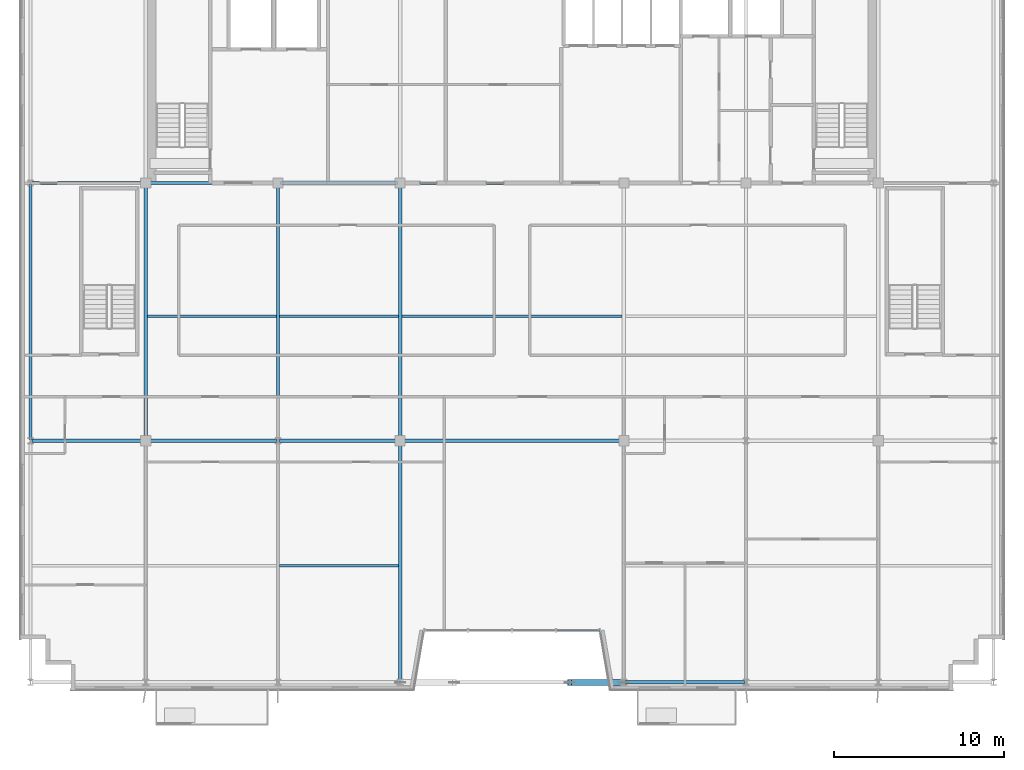
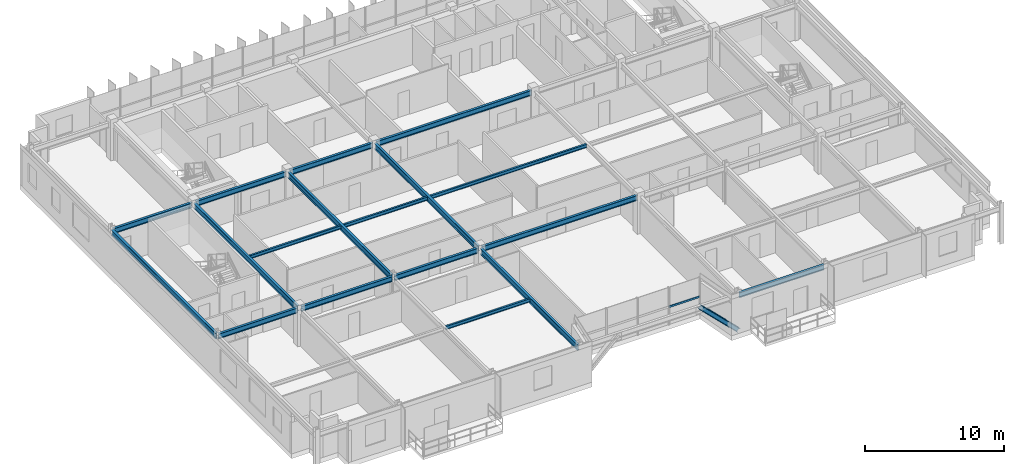
# One storey, part 7 of 28: 18 beams, 2 members, 1 element without a shape of its own.
"""IFC4 building model written with IfcOpenShell, lengths in metres."""

from ifc_helpers import new_model, si_unit, direction, frame, origin, origin_2d, place, context, subcontext, project, spatial, hollow_rectangle, i_section, extrude, source, transform, mapped, material, material_profile, profile_set, type_object, element, aggregate, save


model = new_model("IFC4")

# Units and contexts
model_context = context("Model", 3, precision=1e-05, world=origin(), true_north=direction((0.0, 1.0)))
body_context = subcontext(model_context, "Body", "Model", "MODEL_VIEW")
ifc_project = project(units=[si_unit("LENGTHUNIT", "METRE"), si_unit("AREAUNIT", "SQUARE_METRE"), si_unit("VOLUMEUNIT", "CUBIC_METRE"), si_unit("PLANEANGLEUNIT", "RADIAN"), si_unit("MASSUNIT", "GRAM", prefix="KILO")], contexts=[model_context])

# Site, building, storey
site_placement = place(None, origin())
site = spatial("IfcSite", under=ifc_project, at=site_placement, CompositionType="ELEMENT")
building_placement = place(site_placement, origin())
building = spatial("IfcBuilding", under=site, at=building_placement, Name="Trelvane Seafront Commons", CompositionType="ELEMENT")
storey_placement = place(building_placement, frame((0.0, 0.0, 295.5)))
storey = spatial("IfcBuildingStorey", under=building, at=storey_placement, Name="L77", CompositionType="ELEMENT", Elevation=295.5)

# Beams
ifc_material_1 = material(Name="Steel SM355 (S355)", Category="steel")
ifc_material_profile_1 = material_profile(ifc_material_1, i_section(OverallWidth=0.199951171875, OverallDepth=0.5, WebThickness=0.010009765625, FlangeThickness=0.01611328125, at=origin_2d()), Name="H-500x200x10x16")
ifc_profile_set_1 = profile_set([ifc_material_profile_1], Name="Steel SM355 (S355)")
beam_type_1 = type_object("IfcBeamType", Name="STR-BM-H500", PredefinedType="BEAM", material=ifc_profile_set_1)
shared_shape_1 = source(origin(), body_context, "Body", "SweptSolid", [
    extrude(i_section(OverallWidth=0.199951171875, OverallDepth=0.5, WebThickness=0.010009765625, FlangeThickness=0.01611328125, at=origin_2d()), origin(), (0.0, 0.0, 1.0), 14.89990234375),
])
for number, where, z_axis, x_axis, name in (
    (1, (15.60009765625, 18.35009765625, 3.010009765625), (0.0, 1.0, 0.0), (-1.0, 0.0, 0.0), "L77 Primary Girder G-33"),
    (2, (30.60009765625, 18.35009765625, 3.010009765625), (0.0, 1.0, 0.0), (-1.0, 0.0, 0.0), "L77 Primary Girder G-39"),
):
    element("IfcBeam", number, at=place(storey_placement, frame(where, z_axis=z_axis, x_axis=x_axis)), inside=storey, type_object=beam_type_1, Name=name, PredefinedType="BEAM", context=body_context, shape_type="MappedRepresentation", body=[
        mapped(shared_shape_1, transform((0.0, 0.0, 0.0), x_axis=(1.0, 0.0, 0.0), y_axis=(0.0, 1.0, 0.0), z_axis=(0.0, 0.0, 1.0), scale=1.0)),
    ])
ifc_material_profile_2 = material_profile(ifc_material_1, i_section(OverallWidth=0.199951171875, OverallDepth=0.449951171875, WebThickness=0.009033203125, FlangeThickness=0.013916015625, at=origin_2d()), Name="H-450x200x9x14")
ifc_profile_set_2 = profile_set([ifc_material_profile_2], Name="Steel SM355 (S355)")
beam_type_2 = type_object("IfcBeamType", Name="STR-SPD-H450", PredefinedType="SPANDREL", material=ifc_profile_set_2)
shared_shape_2 = source(origin(), body_context, "Body", "SweptSolid", [
    extrude(i_section(OverallWidth=0.199951171875, OverallDepth=0.449951171875, WebThickness=0.009033203125, FlangeThickness=0.013916015625, at=origin_2d()), origin(), (0.0, 0.0, 1.0), 7.025146484375),
])
beam_1_placement = place(storey_placement, frame((43.887451171875, 3.949951171875, 3.034912109375), z_axis=(1.0, 0.0, 0.0), x_axis=(0.0, 1.0, 0.0)))
element("IfcBeam", 3, at=beam_1_placement, inside=storey, type_object=beam_type_2, Name="L77 Primary Girder G-05", PredefinedType="SPANDREL", context=body_context, shape_type="MappedRepresentation", body=[
    mapped(shared_shape_2, transform((0.0, 0.0, 0.0), x_axis=(1.0, 0.0, 0.0), y_axis=(0.0, 1.0, 0.0), z_axis=(0.0, 0.0, 1.0), scale=1.0)),
])
shared_shape_3 = source(origin(), body_context, "Body", "SweptSolid", [
    extrude(i_section(OverallWidth=0.199951171875, OverallDepth=0.449951171875, WebThickness=0.009033203125, FlangeThickness=0.013916015625, at=origin_2d()), origin(), (0.0, 0.0, 1.0), 6.5625),
])
for number, where, z_axis, x_axis, name in (
    (4, (8.887451171875, 18.199951171875, 3.034912109375), (1.0, 0.0, 0.0), (0.0, 1.0, 0.0), "L77 Primary Girder G-08"),
    (5, (8.887451171875, 33.39990234375, 3.034912109375), (1.0, 0.0, 0.0), (0.0, 1.0, 0.0), "L77 Primary Girder G-15"),
):
    element("IfcBeam", number, at=place(storey_placement, frame(where, z_axis=z_axis, x_axis=x_axis)), inside=storey, type_object=beam_type_2, Name=name, PredefinedType="SPANDREL", context=body_context, shape_type="MappedRepresentation", body=[
        mapped(shared_shape_3, transform((0.0, 0.0, 0.0), x_axis=(1.0, 0.0, 0.0), y_axis=(0.0, 1.0, 0.0), z_axis=(0.0, 0.0, 1.0), scale=1.0)),
    ])
shared_shape_4 = source(origin(), body_context, "Body", "SweptSolid", [
    extrude(i_section(OverallWidth=0.199951171875, OverallDepth=0.449951171875, WebThickness=0.009033203125, FlangeThickness=0.013916015625, at=origin_2d()), origin(), (0.0, 0.0, 1.0), 7.5625),
])
beam_2_placement = place(storey_placement, frame((15.75, 18.199951171875, 3.034912109375), z_axis=(1.0, 0.0, 0.0), x_axis=(0.0, 1.0, 0.0)))
element("IfcBeam", 6, at=beam_2_placement, inside=storey, type_object=beam_type_2, Name="L77 Primary Girder G-09", PredefinedType="SPANDREL", context=body_context, shape_type="MappedRepresentation", body=[
    mapped(shared_shape_4, transform((0.0, 0.0, 0.0), x_axis=(1.0, 0.0, 0.0), y_axis=(0.0, 1.0, 0.0), z_axis=(0.0, 0.0, 1.0), scale=1.0)),
])
shared_shape_5 = source(origin(), body_context, "Body", "SweptSolid", [
    extrude(i_section(OverallWidth=0.199951171875, OverallDepth=0.449951171875, WebThickness=0.009033203125, FlangeThickness=0.013916015625, at=origin_2d()), origin(), (0.0, 0.0, 1.0), 6.96240234375),
])
beam_3_placement = place(storey_placement, frame((23.487548828125, 18.199951171875, 3.034912109375), z_axis=(1.0, 0.0, 0.0), x_axis=(0.0, 1.0, 0.0)))
element("IfcBeam", 7, at=beam_3_placement, inside=storey, type_object=beam_type_2, Name="L77 Primary Girder G-10", PredefinedType="SPANDREL", context=body_context, shape_type="MappedRepresentation", body=[
    mapped(shared_shape_5, transform((0.0, 0.0, 0.0), x_axis=(1.0, 0.0, 0.0), y_axis=(0.0, 1.0, 0.0), z_axis=(0.0, 0.0, 1.0), scale=1.0)),
])
shared_shape_6 = source(origin(), body_context, "Body", "SweptSolid", [
    extrude(i_section(OverallWidth=0.199951171875, OverallDepth=0.449951171875, WebThickness=0.009033203125, FlangeThickness=0.013916015625, at=origin_2d()), origin(), (0.0, 0.0, 1.0), 7.5),
])
beam_4_placement = place(storey_placement, frame((15.75, 33.39990234375, 3.034912109375), z_axis=(1.0, 0.0, 0.0), x_axis=(0.0, 1.0, 0.0)))
element("IfcBeam", 8, at=beam_4_placement, inside=storey, type_object=beam_type_2, Name="L77 Primary Girder G-16", PredefinedType="SPANDREL", context=body_context, shape_type="MappedRepresentation", body=[
    mapped(shared_shape_6, transform((0.0, 0.0, 0.0), x_axis=(1.0, 0.0, 0.0), y_axis=(0.0, 1.0, 0.0), z_axis=(0.0, 0.0, 1.0), scale=1.0)),
])
shared_shape_7 = source(origin(), body_context, "Body", "SweptSolid", [
    extrude(i_section(OverallWidth=0.199951171875, OverallDepth=0.449951171875, WebThickness=0.009033203125, FlangeThickness=0.013916015625, at=origin_2d()), origin(), (0.0, 0.0, 1.0), 6.89990234375),
])
beam_5_placement = place(storey_placement, frame((23.550048828125, 33.39990234375, 3.034912109375), z_axis=(1.0, 0.0, 0.0), x_axis=(0.0, 1.0, 0.0)))
element("IfcBeam", 9, at=beam_5_placement, inside=storey, type_object=beam_type_2, Name="L77 Primary Girder G-17", PredefinedType="SPANDREL", context=body_context, shape_type="MappedRepresentation", body=[
    mapped(shared_shape_7, transform((0.0, 0.0, 0.0), x_axis=(1.0, 0.0, 0.0), y_axis=(0.0, 1.0, 0.0), z_axis=(0.0, 0.0, 1.0), scale=1.0)),
])
shared_shape_8 = source(origin(), body_context, "Body", "SweptSolid", [
    extrude(i_section(OverallWidth=0.199951171875, OverallDepth=0.449951171875, WebThickness=0.009033203125, FlangeThickness=0.013916015625, at=origin_2d()), origin(), (0.0, 0.0, 1.0), 12.89990234375),
])
for number, where, z_axis, x_axis, name in (
    (10, (30.75, 18.199951171875, 3.034912109375), (1.0, 0.0, 0.0), (0.0, 1.0, 0.0), "L77 Primary Girder G-11"),
    (11, (30.75, 33.39990234375, 3.034912109375), (1.0, 0.0, 0.0), (0.0, 1.0, 0.0), "L77 Primary Girder G-18"),
):
    element("IfcBeam", number, at=place(storey_placement, frame(where, z_axis=z_axis, x_axis=x_axis)), inside=storey, type_object=beam_type_2, Name=name, PredefinedType="SPANDREL", context=body_context, shape_type="MappedRepresentation", body=[
        mapped(shared_shape_8, transform((0.0, 0.0, 0.0), x_axis=(1.0, 0.0, 0.0), y_axis=(0.0, 1.0, 0.0), z_axis=(0.0, 0.0, 1.0), scale=1.0)),
    ])
shared_shape_9 = source(origin(), body_context, "Body", "SweptSolid", [
    extrude(i_section(OverallWidth=0.199951171875, OverallDepth=0.5, WebThickness=0.010009765625, FlangeThickness=0.01611328125, at=origin_2d()), origin(), (0.0, 0.0, 1.0), 15.02490234375),
])
beam_6_placement = place(storey_placement, frame((8.800048828125, 18.28759765625, 3.010009765625), z_axis=(0.0, 1.0, 0.0), x_axis=(-1.0, 0.0, 0.0)))
element("IfcBeam", 12, at=beam_6_placement, inside=storey, type_object=beam_type_1, Name="L77 Primary Girder G-30", PredefinedType="BEAM", context=body_context, shape_type="MappedRepresentation", body=[
    mapped(shared_shape_9, transform((0.0, 0.0, 0.0), x_axis=(1.0, 0.0, 0.0), y_axis=(0.0, 1.0, 0.0), z_axis=(0.0, 0.0, 1.0), scale=1.0)),
])
shared_shape_10 = source(origin(), body_context, "Body", "SweptSolid", [
    extrude(i_section(OverallWidth=0.199951171875, OverallDepth=0.5, WebThickness=0.010009765625, FlangeThickness=0.01611328125, at=origin_2d()), origin(), (0.0, 0.0, 1.0), 14.012451171875),
])
beam_7_placement = place(storey_placement, frame((30.60009765625, 4.03759765625, 3.010009765625), z_axis=(0.0, 1.0, 0.0), x_axis=(-1.0, 0.0, 0.0)))
element("IfcBeam", 13, at=beam_7_placement, inside=storey, type_object=beam_type_1, Name="L77 Primary Girder G-38", PredefinedType="BEAM", context=body_context, shape_type="MappedRepresentation", body=[
    mapped(shared_shape_10, transform((0.0, 0.0, 0.0), x_axis=(1.0, 0.0, 0.0), y_axis=(0.0, 1.0, 0.0), z_axis=(0.0, 0.0, 1.0), scale=1.0)),
])
shared_shape_11 = source(origin(), body_context, "Body", "SweptSolid", [
    extrude(i_section(OverallWidth=0.199951171875, OverallDepth=0.5, WebThickness=0.010009765625, FlangeThickness=0.01611328125, at=origin_2d()), origin(), (0.0, 0.0, 1.0), 14.96240234375),
])
beam_8_placement = place(storey_placement, frame((23.39990234375, 18.28759765625, 3.010009765625), z_axis=(0.0, 1.0, 0.0), x_axis=(-1.0, 0.0, 0.0)))
element("IfcBeam", 14, at=beam_8_placement, inside=storey, type_object=beam_type_1, Name="L77 Primary Girder G-36", PredefinedType="BEAM", context=body_context, shape_type="MappedRepresentation", body=[
    mapped(shared_shape_11, transform((0.0, 0.0, 0.0), x_axis=(1.0, 0.0, 0.0), y_axis=(0.0, 1.0, 0.0), z_axis=(0.0, 0.0, 1.0), scale=1.0)),
])
ifc_material_profile_3 = material_profile(ifc_material_1, i_section(OverallWidth=0.14990234375, OverallDepth=0.300048828125, WebThickness=0.006591796875, FlangeThickness=0.009033203125, at=origin_2d()), Name="H-300x150x6.5x9")
ifc_profile_set_3 = profile_set([ifc_material_profile_3], Name="Steel SM355 (S355)")
beam_type_3 = type_object("IfcBeamType", Name="STR-JST-H300", PredefinedType="JOIST", material=ifc_profile_set_3)
shared_shape_12 = source(origin(), body_context, "Body", "SweptSolid", [
    extrude(i_section(OverallWidth=0.14990234375, OverallDepth=0.300048828125, WebThickness=0.006591796875, FlangeThickness=0.009033203125, at=origin_2d()), origin(), (0.0, 0.0, 1.0), 7.60009765625),
])
beam_9_placement = place(storey_placement, frame((15.699951171875, 25.550048828125, 3.110107421875), z_axis=(1.0, 0.0, 0.0), x_axis=(0.0, 1.0, 0.0)))
element("IfcBeam", 15, at=beam_9_placement, inside=storey, type_object=beam_type_3, Name="L77 Secondary Floor Joist B-60", PredefinedType="JOIST", context=body_context, shape_type="MappedRepresentation", body=[
    mapped(shared_shape_12, transform((0.0, 0.0, 0.0), x_axis=(1.0, 0.0, 0.0), y_axis=(0.0, 1.0, 0.0), z_axis=(0.0, 0.0, 1.0), scale=1.0)),
])
shared_shape_13 = source(origin(), body_context, "Body", "SweptSolid", [
    extrude(i_section(OverallWidth=0.14990234375, OverallDepth=0.300048828125, WebThickness=0.006591796875, FlangeThickness=0.009033203125, at=origin_2d()), origin(), (0.0, 0.0, 1.0), 7.0),
])
for number, where, z_axis, x_axis, name in (
    (16, (23.5, 10.824951171875, 3.110107421875), (1.0, 0.0, 0.0), (0.0, 1.0, 0.0), "L77 Secondary Floor Joist B-55"),
    (17, (23.5, 25.550048828125, 3.110107421875), (1.0, 0.0, 0.0), (0.0, 1.0, 0.0), "L77 Secondary Floor Joist B-61"),
):
    element("IfcBeam", number, at=place(storey_placement, frame(where, z_axis=z_axis, x_axis=x_axis)), inside=storey, type_object=beam_type_3, Name=name, PredefinedType="JOIST", context=body_context, shape_type="MappedRepresentation", body=[
        mapped(shared_shape_13, transform((0.0, 0.0, 0.0), x_axis=(1.0, 0.0, 0.0), y_axis=(0.0, 1.0, 0.0), z_axis=(0.0, 0.0, 1.0), scale=1.0)),
    ])
shared_shape_14 = source(origin(), body_context, "Body", "SweptSolid", [
    extrude(i_section(OverallWidth=0.14990234375, OverallDepth=0.300048828125, WebThickness=0.006591796875, FlangeThickness=0.009033203125, at=origin_2d()), origin(), (0.0, 0.0, 1.0), 13.0),
])
beam_10_placement = place(storey_placement, frame((30.699951171875, 25.550048828125, 3.110107421875), z_axis=(1.0, 0.0, 0.0), x_axis=(0.0, 1.0, 0.0)))
element("IfcBeam", 18, at=beam_10_placement, inside=storey, type_object=beam_type_3, Name="L77 Secondary Floor Joist B-62", PredefinedType="JOIST", context=body_context, shape_type="MappedRepresentation", body=[
    mapped(shared_shape_14, transform((0.0, 0.0, 0.0), x_axis=(1.0, 0.0, 0.0), y_axis=(0.0, 1.0, 0.0), z_axis=(0.0, 0.0, 1.0), scale=1.0)),
])

# Member
ifc_material_profile_4 = material_profile(ifc_material_1, i_section(OverallWidth=0.35009765625, OverallDepth=0.35009765625, WebThickness=0.01806640625, FlangeThickness=0.028076171875, at=origin_2d()), Name="HD-350x350x18x28")
ifc_profile_set_4 = profile_set([ifc_material_profile_4], Name="Steel SM355 (S355)")
member_type_1 = type_object("IfcMemberType", Name="STR-BRC-HD350", PredefinedType="BRACE", material=ifc_profile_set_4)
shared_shape_15 = source(origin(), body_context, "Body", "SweptSolid", [
    extrude(i_section(OverallWidth=0.35009765625, OverallDepth=0.35009765625, WebThickness=0.01806640625, FlangeThickness=0.028076171875, at=origin_2d()), origin(), (0.0, 0.0, 1.0), 4.483154296875),
])
member_1_placement = place(storey_placement, frame((43.800048828125, 3.949951171875, 0.0), z_axis=(-0.713773316761, 0.0, 0.700376793077), x_axis=(0.0, -1.0, 0.0)))
element("IfcMember", 19, at=member_1_placement, inside=storey, type_object=member_type_1, Name="L77 Sky-Garden V-Chevron Brace SGV-E", PredefinedType="BRACE", context=body_context, shape_type="MappedRepresentation", body=[
    mapped(shared_shape_15, transform((0.0, 0.0, 0.0), x_axis=(1.0, 0.0, 0.0), y_axis=(0.0, 1.0, 0.0), z_axis=(0.0, 0.0, 1.0), scale=1.0)),
])

# Curtain wall, member
ifc_material_2 = material(Name="Anodised pale-silver aluminium", Category="aluminium")
curtain_wall_type = type_object("IfcCurtainWallType", Name="ARCH-CW3-PORTAL", PredefinedType="NOTDEFINED", material=ifc_material_2)
curtain_wall_placement = place(storey_placement, origin())
curtain_wall = element("IfcCurtainWall", 20, at=curtain_wall_placement, inside=storey, type_object=curtain_wall_type, Name="CW-L77-VN-0123", PredefinedType="NOTDEFINED")
ifc_material_profile_5 = material_profile(ifc_material_2, hollow_rectangle(XDim=0.080078125, YDim=0.159912109375, WallThickness=0.00439453125, at=origin_2d()), Name="TRAN-80x160x4.5")
ifc_profile_set_5 = profile_set([ifc_material_profile_5], Name="Anodised pale-silver aluminium")
member_type_2 = type_object("IfcMemberType", Name="ARCH-CW-TRAN-160", PredefinedType="USERDEFINED", material=ifc_profile_set_5)
shared_shape_16 = source(origin(), body_context, "Body", "SweptSolid", [
    extrude(hollow_rectangle(XDim=0.080078125, YDim=0.159912109375, WallThickness=0.00439453125, at=origin_2d()), origin(), (0.0, 0.0, 1.0), 2.575927734375),
])
member_2_placement = place(storey_placement, frame((42.387939453125, 7.0, 1.56494140625), z_axis=(-1.0, 0.0, 0.0), x_axis=(0.0, -1.0, 0.0)))
member_2 = element("IfcMember", 21, at=member_2_placement, type_object=member_type_2, Name="CW-L77-VN-0123-T00", ObjectType="TRANSOM", PredefinedType="USERDEFINED", context=body_context, shape_type="MappedRepresentation", body=[
    mapped(shared_shape_16, transform((0.0, 0.0, 0.0), x_axis=(1.0, 0.0, 0.0), y_axis=(0.0, 1.0, 0.0), z_axis=(0.0, 0.0, 1.0), scale=1.0)),
])
aggregate(curtain_wall, [member_2])

save(model, "model.ifc")
